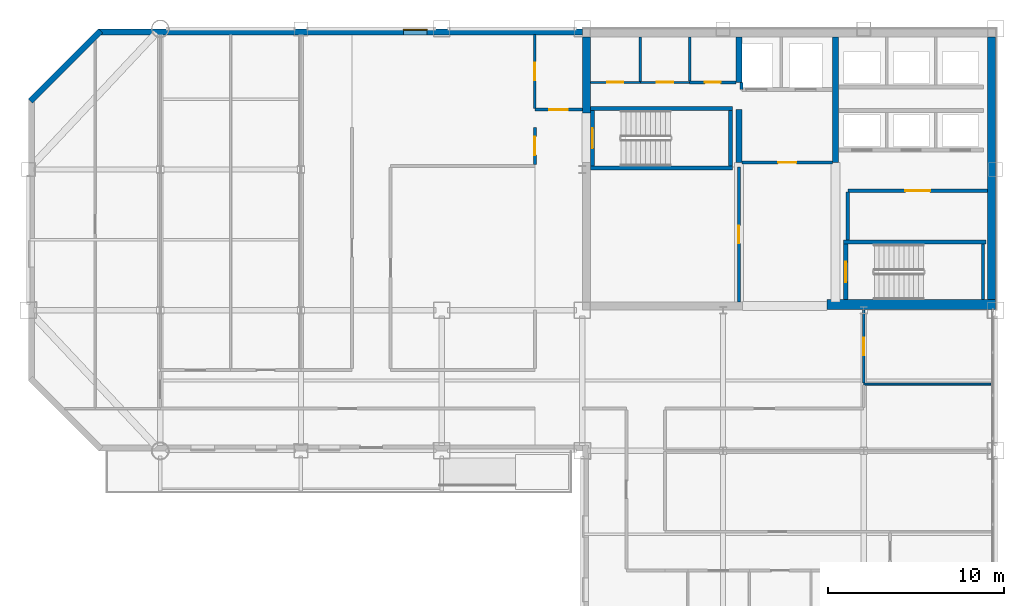
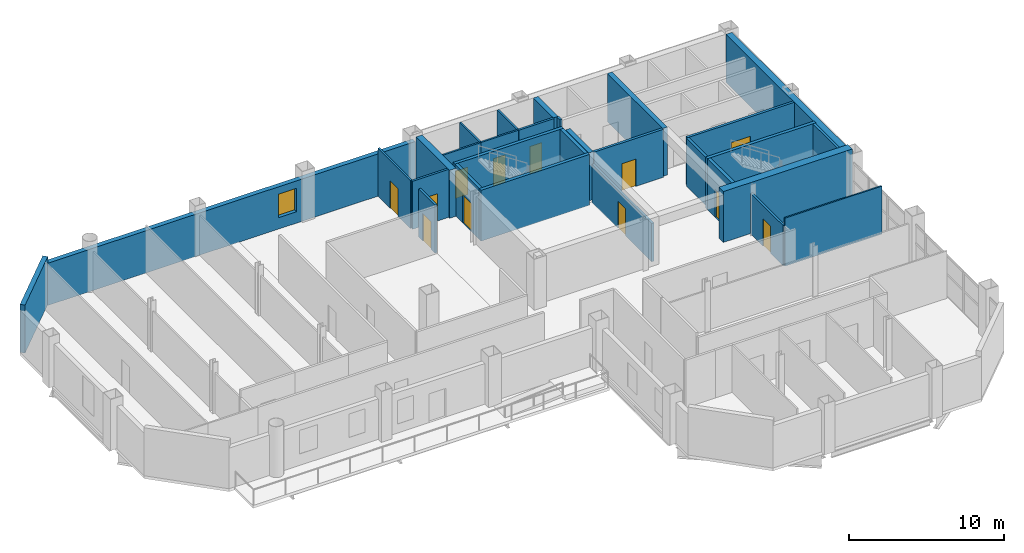
# One storey, part 9 of 12: 30 walls, 12 doors, 1 window, 13 openings.
"""IFC4 building model written with IfcOpenShell, lengths in metres."""

from ifc_helpers import new_model, si_unit, direction, frame, frame_2d, origin, place, context, subcontext, project, spatial, rectangle, extrude, material, layer, layer_set, type_object, element, fill, save


model = new_model("IFC4")

# Units and contexts
model_context = context("Model", 3, precision=1e-05, world=origin(), true_north=direction((0.0, 1.0)))
body_context = subcontext(model_context, "Body", "Model", "MODEL_VIEW")
ifc_project = project(units=[si_unit("LENGTHUNIT", "METRE"), si_unit("AREAUNIT", "SQUARE_METRE"), si_unit("VOLUMEUNIT", "CUBIC_METRE"), si_unit("PLANEANGLEUNIT", "RADIAN"), si_unit("MASSUNIT", "GRAM", prefix="KILO")], contexts=[model_context])

# Site, building, storey
site_placement = place(None, origin())
site = spatial("IfcSite", under=ifc_project, at=site_placement, CompositionType="ELEMENT")
building_placement = place(site_placement, origin())
building = spatial("IfcBuilding", under=site, at=building_placement, Name="Qianrong Seaharbour Tower", CompositionType="ELEMENT")
storey_placement = place(building_placement, frame((0.0, 0.0, 205.800048828125)))
storey = spatial("IfcBuildingStorey", under=building, at=storey_placement, Name="L49", CompositionType="ELEMENT", Elevation=205.800048828125)

# Walls
ifc_material_1 = material(Name="Concrete C60/75", Category="concrete")
ifc_layer_1 = layer(ifc_material_1, 0.4599609375)
ifc_layer_set_1 = layer_set([ifc_layer_1], Name="Concrete C60/75")
wall_type_1 = type_object("IfcWallType", Name="WALL-CORE-460", PredefinedType="SHEAR", material=ifc_layer_set_1)
wall_1_placement = place(storey_placement, frame((63.77001953125, 36.320068359375, 0.0), z_axis=(0.0, 0.0, 1.0), x_axis=(0.0, 1.0, 0.0)))
element("IfcWall", 1, at=wall_1_placement, inside=storey, type_object=wall_type_1, Name="L49 East Core Shear Wall", PredefinedType="SHEAR", context=body_context, shape_type="SweptSolid", body=[
    extrude(rectangle(XDim=15.219970703125, YDim=0.4599609375, at=frame_2d((7.60986328125, 0.0))), origin(), (0.0, 0.0, 1.0), 3.77490234375),
])
wall_2_placement = place(storey_placement, frame((40.72998046875, 47.199951171875, 0.0), z_axis=(0.0, 0.0, 1.0), x_axis=(0.0, 1.0, 0.0)))
element("IfcWall", 2, at=wall_2_placement, inside=storey, type_object=wall_type_1, Name="L49 West Core Shear Wall North", PredefinedType="SHEAR", context=body_context, shape_type="SweptSolid", body=[
    extrude(rectangle(XDim=4.340087890625, YDim=0.4599609375, at=frame_2d((2.169921875, 0.0))), origin(), (0.0, 0.0, 1.0), 3.77490234375),
])
ifc_material_2 = material(Name="Concrete C70/85", Category="concrete")
ifc_layer_2 = layer(ifc_material_2, 0.580078125)
ifc_layer_set_2 = layer_set([ifc_layer_2], Name="Concrete C70/85")
wall_type_2 = type_object("IfcWallType", Name="WALL-CORE-580", PredefinedType="SHEAR", material=ifc_layer_set_2)
wall_3_placement = place(storey_placement, frame((54.39990234375, 36.320068359375, 0.0), z_axis=(0.0, 0.0, 1.0), x_axis=(1.0, 0.0, 0.0)))
element("IfcWall", 3, at=wall_3_placement, inside=storey, type_object=wall_type_2, Name="L49 South Core Shear Wall S3", PredefinedType="SHEAR", context=body_context, shape_type="SweptSolid", body=[
    extrude(rectangle(XDim=9.60009765625, YDim=0.580078125, at=frame_2d((4.800048828125, 0.0))), origin(), (0.0, 0.0, 1.0), 4.0),
])
ifc_material_3 = material(Name="Concrete C50/60", Category="concrete")
ifc_layer_3 = layer(ifc_material_3, 0.35009765625)
ifc_layer_set_3 = layer_set([ifc_layer_3], Name="Concrete C50/60")
wall_type_3 = type_object("IfcWallType", Name="WALL-CORE-INT-350", PredefinedType="SHEAR", material=ifc_layer_set_3)
wall_4_placement = place(storey_placement, frame((49.39990234375, 44.39990234375, 0.0), z_axis=(0.0, 0.0, 1.0), x_axis=(0.0, 1.0, 0.0)))
element("IfcWall", 4, at=wall_4_placement, inside=storey, type_object=wall_type_3, Name="L49 Internal Core Shear Wall IW1N1", PredefinedType="SHEAR", context=body_context, shape_type="SweptSolid", body=[
    extrude(rectangle(XDim=3.0, YDim=0.35009765625, at=frame_2d((1.5, 0.0))), origin(), (0.0, 0.0, 1.0), 3.77490234375),
])
wall_5_placement = place(storey_placement, frame((49.39990234375, 48.949951171875, 0.0), z_axis=(0.0, 0.0, 1.0), x_axis=(0.0, 1.0, 0.0)))
element("IfcWall", 5, at=wall_5_placement, inside=storey, type_object=wall_type_3, Name="L49 Internal Core Shear Wall IW1N2", PredefinedType="SHEAR", context=body_context, shape_type="SweptSolid", body=[
    extrude(rectangle(XDim=2.590087890625, YDim=0.35009765625, at=frame_2d((1.294921875, 0.0))), origin(), (0.0, 0.0, 1.0), 3.77490234375),
])
wall_6_placement = place(storey_placement, frame((54.89990234375, 44.39990234375, 0.0), z_axis=(0.0, 0.0, 1.0), x_axis=(0.0, 1.0, 0.0)))
element("IfcWall", 6, at=wall_6_placement, inside=storey, type_object=wall_type_3, Name="L49 Internal Core Shear Wall IW2N", PredefinedType="SHEAR", context=body_context, shape_type="SweptSolid", body=[
    extrude(rectangle(XDim=7.14013671875, YDim=0.35009765625, at=frame_2d((3.570068359375, 0.0))), origin(), (0.0, 0.0, 1.0), 3.77490234375),
])

# Wall, opening, door
ifc_material_4 = material(Name="Fire-rated acoustic gypsum board partition")
ifc_layer_4 = layer(ifc_material_4, 0.1650390625)
ifc_layer_set_4 = layer_set([ifc_layer_4], Name="Fire-rated acoustic gypsum board partition")
wall_type_4 = type_object("IfcWallType", Name="WALL-CORR-PART-165", PredefinedType="PARTITIONING", material=ifc_layer_set_4)
wall_7_placement = place(storey_placement, frame((37.800048828125, 47.39990234375, 0.0), z_axis=(0.0, 0.0, 1.0), x_axis=(1.0, 0.0, 0.0)))
wall_7 = element("IfcWall", 7, at=wall_7_placement, inside=storey, type_object=wall_type_4, Name="L49 Interior Partition Wall 001", PredefinedType="PARTITIONING", context=body_context, shape_type="SweptSolid", body=[
    extrude(rectangle(XDim=2.699951171875, YDim=0.1650390625, at=frame_2d((1.35009765625, 0.0))), origin(), (0.0, 0.0, 1.0), 3.77490234375),
])
opening_1_placement = place(wall_7_placement, frame((0.824951171875, 0.0, 0.0)))
opening_1 = element("IfcOpeningElement", 8, at=opening_1_placement, cuts=wall_7, Name="Opening DC-01", PredefinedType="OPENING", context=body_context, shape_type="SweptSolid", body=[
    extrude(rectangle(XDim=1.050048828125, YDim=2.14990234375, at=frame_2d((0.52490234375, 1.074951171875))), frame((0.0, 0.092529296875, 0.0), z_axis=(0.0, -1.0, 0.0), x_axis=(1.0, 0.0, 0.0)), (0.0, 0.0, 1.0), 0.18505859375),
])
ifc_material_5 = material(Name="Acoustic timber and galvanized steel fire door assembly", Category="steel")
door_type_1 = type_object("IfcDoorType", Name="DOOR-CORR-FD60-1050x2150", OperationType="NOTDEFINED", PredefinedType="DOOR", material=ifc_material_5)
door_1_placement = place(opening_1_placement, origin())
door_1 = element("IfcDoor", 9, at=door_1_placement, inside=storey, type_object=door_type_1, Name="L49 Smokeproof Stair Vestibule ST-1 Door", OperationType="SINGLE_SWING_LEFT", OverallHeight=2.14990234375, OverallWidth=1.050048828125, PredefinedType="DOOR", context=body_context, shape_type="SweptSolid", body=[
    extrude(rectangle(XDim=1.050048828125, YDim=2.14990234375, at=frame_2d((0.52490234375, 1.074951171875))), frame((0.0, 0.02490234375, 0.0), z_axis=(0.0, -1.0, 0.0), x_axis=(1.0, 0.0, 0.0)), (0.0, 0.0, 1.0), 0.050048828125),
])
fill(opening_1, door_1)

wall_8_placement = place(storey_placement, frame((37.800048828125, 44.2744140625, 0.0), z_axis=(0.0, 0.0, 1.0), x_axis=(0.0, 1.0, 0.0)))
wall_8 = element("IfcWall", 10, at=wall_8_placement, inside=storey, type_object=wall_type_4, Name="L49 Interior Partition Wall 002", PredefinedType="PARTITIONING", context=body_context, shape_type="SweptSolid", body=[
    extrude(rectangle(XDim=2.12548828125, YDim=0.1650390625, at=frame_2d((1.062744140625, 0.0))), origin(), (0.0, 0.0, 1.0), 3.77490234375),
])
opening_2_placement = place(wall_8_placement, frame((0.537841796875, 0.0, 0.0)))
opening_2 = element("IfcOpeningElement", 11, at=opening_2_placement, cuts=wall_8, Name="Opening DC-01", PredefinedType="OPENING", context=body_context, shape_type="SweptSolid", body=[
    extrude(rectangle(XDim=1.050048828125, YDim=2.14990234375, at=frame_2d((0.52490234375, 1.074951171875))), frame((0.0, 0.092529296875, 0.0), z_axis=(0.0, -1.0, 0.0), x_axis=(1.0, 0.0, 0.0)), (0.0, 0.0, 1.0), 0.18505859375),
])
door_2_placement = place(opening_2_placement, origin())
door_2 = element("IfcDoor", 12, at=door_2_placement, inside=storey, type_object=door_type_1, Name="L49 Smokeproof Stair Vestibule ST-1 Door", OperationType="SINGLE_SWING_RIGHT", OverallHeight=2.14990234375, OverallWidth=1.050048828125, PredefinedType="DOOR", context=body_context, shape_type="SweptSolid", body=[
    extrude(rectangle(XDim=1.050048828125, YDim=2.14990234375, at=frame_2d((0.52490234375, 1.074951171875))), frame((0.0, 0.02490234375, 0.0), z_axis=(0.0, -1.0, 0.0), x_axis=(1.0, 0.0, 0.0)), (0.0, 0.0, 1.0), 0.050048828125),
])
fill(opening_2, door_2)

wall_9_placement = place(storey_placement, frame((46.60009765625, 48.949951171875, 0.0), z_axis=(0.0, 0.0, 1.0), x_axis=(1.0, 0.0, 0.0)))
wall_9 = element("IfcWall", 13, at=wall_9_placement, inside=storey, type_object=wall_type_4, Name="L49 Interior Partition Wall 006", PredefinedType="PARTITIONING", context=body_context, shape_type="SweptSolid", body=[
    extrude(rectangle(XDim=2.6328125, YDim=0.1650390625, at=frame_2d((1.31640625, 0.0))), origin(), (0.0, 0.0, 1.0), 3.77490234375),
])
opening_3_placement = place(wall_9_placement, frame((0.866455078125, 0.0, 0.0)))
opening_3 = element("IfcOpeningElement", 14, at=opening_3_placement, cuts=wall_9, Name="Opening DS-01", PredefinedType="OPENING", context=body_context, shape_type="SweptSolid", body=[
    extrude(rectangle(XDim=0.89990234375, YDim=2.14990234375, at=frame_2d((0.449951171875, 1.074951171875))), frame((0.0, 0.092529296875, 0.0), z_axis=(0.0, -1.0, 0.0), x_axis=(1.0, 0.0, 0.0)), (0.0, 0.0, 1.0), 0.18505859375),
])
door_type_2 = type_object("IfcDoorType", Name="DOOR-STORE-900x2150", OperationType="NOTDEFINED", PredefinedType="DOOR", material=ifc_material_5)
door_3_placement = place(opening_3_placement, origin())
door_3 = element("IfcDoor", 15, at=door_3_placement, inside=storey, type_object=door_type_2, Name="L49 Cleaner Store Room Door", OperationType="SINGLE_SWING_RIGHT", OverallHeight=2.14990234375, OverallWidth=0.89990234375, PredefinedType="DOOR", context=body_context, shape_type="SweptSolid", body=[
    extrude(rectangle(XDim=0.89990234375, YDim=2.14990234375, at=frame_2d((0.449951171875, 1.074951171875))), frame((0.0, 0.02490234375, 0.0), z_axis=(0.0, -1.0, 0.0), x_axis=(1.0, 0.0, 0.0)), (0.0, 0.0, 1.0), 0.050048828125),
])
fill(opening_3, door_3)

wall_10_placement = place(storey_placement, frame((49.39990234375, 36.4599609375, 0.0), z_axis=(0.0, 0.0, 1.0), x_axis=(0.0, 1.0, 0.0)))
wall_10 = element("IfcWall", 16, at=wall_10_placement, inside=storey, type_object=wall_type_4, Name="L49 Interior Partition Wall 008", PredefinedType="PARTITIONING", context=body_context, shape_type="SweptSolid", body=[
    extrude(rectangle(XDim=7.68994140625, YDim=0.1650390625, at=frame_2d((3.844970703125, 0.0))), origin(), (0.0, 0.0, 1.0), 3.016845703125),
])
opening_4_placement = place(wall_10_placement, frame((3.344970703125, 0.0, 0.0)))
opening_4 = element("IfcOpeningElement", 17, at=opening_4_placement, cuts=wall_10, Name="Opening DO-01", PredefinedType="OPENING", context=body_context, shape_type="SweptSolid", body=[
    extrude(rectangle(XDim=1.0, YDim=2.14990234375, at=frame_2d((0.5, 1.074951171875))), frame((0.0, 0.092529296875, 0.0), z_axis=(0.0, -1.0, 0.0), x_axis=(1.0, 0.0, 0.0)), (0.0, 0.0, 1.0), 0.18505859375),
])
door_type_3 = type_object("IfcDoorType", Name="DOOR-OFFICE-1000x2150", OperationType="NOTDEFINED", PredefinedType="DOOR", material=ifc_material_5)
door_4_placement = place(opening_4_placement, origin())
door_4 = element("IfcDoor", 18, at=door_4_placement, inside=storey, type_object=door_type_3, Name="L49 Data Systems Office Door", OperationType="SINGLE_SWING_LEFT", OverallHeight=2.14990234375, OverallWidth=1.0, PredefinedType="DOOR", context=body_context, shape_type="SweptSolid", body=[
    extrude(rectangle(XDim=1.0, YDim=2.14990234375, at=frame_2d((0.5, 1.074951171875))), frame((0.0, 0.02490234375, 0.0), z_axis=(0.0, -1.0, 0.0), x_axis=(1.0, 0.0, 0.0)), (0.0, 0.0, 1.0), 0.050048828125),
])
fill(opening_4, door_4)

wall_11_placement = place(storey_placement, frame((56.5, 36.0, 0.0), z_axis=(0.0, 0.0, 1.0), x_axis=(0.0, -1.0, 0.0)))
wall_11 = element("IfcWall", 19, at=wall_11_placement, inside=storey, type_object=wall_type_4, Name="L49 Interior Partition Wall 025", PredefinedType="PARTITIONING", context=body_context, shape_type="SweptSolid", body=[
    extrude(rectangle(XDim=4.153076171875, YDim=0.1650390625, at=frame_2d((2.07666015625, 0.0))), origin(), (0.0, 0.0, 1.0), 3.178955078125),
])
opening_5_placement = place(wall_11_placement, frame((1.576416015625, 0.0, 0.0)))
opening_5 = element("IfcOpeningElement", 20, at=opening_5_placement, cuts=wall_11, Name="Opening DO-01", PredefinedType="OPENING", context=body_context, shape_type="SweptSolid", body=[
    extrude(rectangle(XDim=1.0, YDim=2.14990234375, at=frame_2d((0.5, 1.074951171875))), frame((0.0, 0.092529296875, 0.0), z_axis=(0.0, -1.0, 0.0), x_axis=(1.0, 0.0, 0.0)), (0.0, 0.0, 1.0), 0.18505859375),
])
door_5_placement = place(opening_5_placement, origin())
door_5 = element("IfcDoor", 21, at=door_5_placement, inside=storey, type_object=door_type_3, Name="L49 Focus Room 3 Door", OperationType="SINGLE_SWING_LEFT", OverallHeight=2.14990234375, OverallWidth=1.0, PredefinedType="DOOR", context=body_context, shape_type="SweptSolid", body=[
    extrude(rectangle(XDim=1.0, YDim=2.14990234375, at=frame_2d((0.5, 1.074951171875))), frame((0.0, 0.02490234375, 0.0), z_axis=(0.0, -1.0, 0.0), x_axis=(1.0, 0.0, 0.0)), (0.0, 0.0, 1.0), 0.050048828125),
])
fill(opening_5, door_5)

# Walls
ifc_material_6 = material(Name="Demountable aluminium-framed acoustic office partition", Category="aluminium")
ifc_layer_5 = layer(ifc_material_6, 0.110107421875)
ifc_layer_set_5 = layer_set([ifc_layer_5], Name="Demountable aluminium-framed acoustic office partition")
wall_type_5 = type_object("IfcWallType", Name="WALL-DEMOUNT-110", PredefinedType="MOVABLE", material=ifc_layer_set_5)
wall_12_placement = place(storey_placement, frame((56.5, 31.800048828125, 0.0), z_axis=(0.0, 0.0, 1.0), x_axis=(1.0, 0.0, 0.0)))
element("IfcWall", 22, at=wall_12_placement, inside=storey, type_object=wall_type_5, Name="L49 Interior Partition Wall 046", PredefinedType="MOVABLE", context=body_context, shape_type="SweptSolid", body=[
    extrude(rectangle(XDim=7.22802734375, YDim=0.110107421875, at=frame_2d((3.614013671875, 0.0))), origin(), (0.0, 0.0, 1.0), 3.77490234375),
])
ifc_material_7 = material(Name="Unitised buff brick on Precast concrete C45/55", Category="masonry")
ifc_layer_6 = layer(ifc_material_7, 0.340087890625)
ifc_layer_set_6 = layer_set([ifc_layer_6], Name="Unitised buff brick on Precast concrete C45/55")
wall_type_6 = type_object("IfcWallType", Name="WALL-EXT-BRICK-BUFF-340", PredefinedType="SOLIDWALL", material=ifc_layer_set_6)
wall_13_placement = place(storey_placement, frame((9.1201171875, 47.8798828125, 0.0), z_axis=(0.0, 0.0, 1.0), x_axis=(0.707106781187, 0.707106781187, 0.0)))
element("IfcWall", 23, at=wall_13_placement, inside=storey, type_object=wall_type_6, Name="L49 Exterior Masonry Facade Wall E04", PredefinedType="SOLIDWALL", context=body_context, shape_type="SweptSolid", body=[
    extrude(rectangle(XDim=5.65673828125, YDim=0.340087890625, at=frame_2d((2.828369140625, 0.0))), origin(), (0.0, 0.0, 1.0), 3.77490234375),
])

# Wall, opening, window
wall_14_placement = place(storey_placement, frame((13.0, 51.830078125, 0.0), z_axis=(0.0, 0.0, 1.0), x_axis=(1.0, 0.0, 0.0)))
wall_14 = element("IfcWall", 24, at=wall_14_placement, inside=storey, type_object=wall_type_6, Name="L49 Exterior Masonry Facade Wall NORTH_WING", PredefinedType="SOLIDWALL", context=body_context, shape_type="SweptSolid", body=[
    extrude(rectangle(XDim=27.52001953125, YDim=0.340087890625, at=frame_2d((13.760009765625, 0.0))), origin(), (0.0, 0.0, 1.0), 3.324951171875),
])
opening_6_placement = place(wall_14_placement, frame((17.324951171875, 0.0, 0.89990234375)))
opening_6 = element("IfcOpeningElement", 25, at=opening_6_placement, cuts=wall_14, Name="Opening WN-02", PredefinedType="OPENING", context=body_context, shape_type="SweptSolid", body=[
    extrude(rectangle(XDim=1.35009765625, YDim=1.85009765625, at=frame_2d((0.675048828125, 0.925048828125))), frame((0.0, 0.18017578125, 0.0), z_axis=(0.0, -1.0, 0.0), x_axis=(1.0, 0.0, 0.0)), (0.0, 0.0, 1.0), 0.360107421875),
])
ifc_material_8 = material(Name="Insulated low-e double glazing in thermally broken aluminium 6063-T6 frame", Category="aluminium")
window_type = type_object("IfcWindowType", Name="WIN-PUNCH-1350x1850", PartitioningType="DOUBLE_PANEL_VERTICAL", PredefinedType="WINDOW", material=ifc_material_8)
window_placement = place(opening_6_placement, origin())
window = element("IfcWindow", 26, at=window_placement, inside=storey, type_object=window_type, Name="L49 Deep-Set Punched Window 05.05", OverallHeight=1.85009765625, OverallWidth=1.35009765625, PartitioningType="DOUBLE_PANEL_VERTICAL", PredefinedType="WINDOW", context=body_context, shape_type="SweptSolid", body=[
    extrude(rectangle(XDim=1.35009765625, YDim=1.85009765625, at=frame_2d((0.675048828125, 0.925048828125))), frame((0.0, 0.150146484375, 0.0), z_axis=(0.0, -1.0, 0.0), x_axis=(1.0, 0.0, 0.0)), (0.0, 0.0, 1.0), 0.06005859375),
])
fill(opening_6, window)

# Wall, opening, door
ifc_material_9 = material(Name="Double fire-rated gypsum board acoustic partition")
ifc_layer_7 = layer(ifc_material_9, 0.18994140625)
ifc_layer_set_7 = layer_set([ifc_layer_7], Name="Double fire-rated gypsum board acoustic partition")
wall_type_7 = type_object("IfcWallType", Name="WALL-FIRE-PART-190", PredefinedType="PARTITIONING", material=ifc_layer_set_7)
wall_15_placement = place(storey_placement, frame((54.73291015625, 44.39990234375, 0.0), z_axis=(0.0, 0.0, 1.0), x_axis=(-1.0, 0.0, 0.0)))
wall_15 = element("IfcWall", 27, at=wall_15_placement, inside=storey, type_object=wall_type_7, Name="L49 Interior Partition Wall 007", PredefinedType="PARTITIONING", context=body_context, shape_type="SweptSolid", body=[
    extrude(rectangle(XDim=5.166015625, YDim=0.18994140625, at=frame_2d((2.5830078125, 0.0))), origin(), (0.0, 0.0, 1.0), 3.77490234375),
])
opening_7_placement = place(wall_15_placement, frame((2.05810546875, 0.0, 0.0)))
opening_7 = element("IfcOpeningElement", 28, at=opening_7_placement, cuts=wall_15, Name="Opening DC-01", PredefinedType="OPENING", context=body_context, shape_type="SweptSolid", body=[
    extrude(rectangle(XDim=1.050048828125, YDim=2.14990234375, at=frame_2d((0.52490234375, 1.074951171875))), frame((0.0, 0.10498046875, 0.0), z_axis=(0.0, -1.0, 0.0), x_axis=(1.0, 0.0, 0.0)), (0.0, 0.0, 1.0), 0.2099609375),
])
door_6_placement = place(opening_7_placement, origin())
door_6 = element("IfcDoor", 29, at=door_6_placement, inside=storey, type_object=door_type_1, Name="L49 Firefighting Lift Lobby Door", OperationType="SINGLE_SWING_RIGHT", OverallHeight=2.14990234375, OverallWidth=1.050048828125, PredefinedType="DOOR", context=body_context, shape_type="SweptSolid", body=[
    extrude(rectangle(XDim=1.050048828125, YDim=2.14990234375, at=frame_2d((0.52490234375, 1.074951171875))), frame((0.0, 0.02490234375, 0.0), z_axis=(0.0, -1.0, 0.0), x_axis=(1.0, 0.0, 0.0)), (0.0, 0.0, 1.0), 0.050048828125),
])
fill(opening_7, door_6)

# Wall
wall_16_placement = place(storey_placement, frame((55.60009765625, 42.712890625, 0.0), z_axis=(0.0, 0.0, 1.0), x_axis=(0.0, -1.0, 0.0)))
element("IfcWall", 30, at=wall_16_placement, inside=storey, type_object=wall_type_7, Name="L49 Interior Partition Wall 009", PredefinedType="PARTITIONING", context=body_context, shape_type="SweptSolid", body=[
    extrude(rectangle(XDim=2.73095703125, YDim=0.18994140625, at=frame_2d((1.365478515625, 0.0))), origin(), (0.0, 0.0, 1.0), 3.77490234375),
])

# Wall, opening, door
wall_17_placement = place(storey_placement, frame((63.5400390625, 42.800048828125, 0.0), z_axis=(0.0, 0.0, 1.0), x_axis=(-1.0, 0.0, 0.0)))
wall_17 = element("IfcWall", 31, at=wall_17_placement, inside=storey, type_object=wall_type_7, Name="L49 Interior Partition Wall 010", PredefinedType="PARTITIONING", context=body_context, shape_type="SweptSolid", body=[
    extrude(rectangle(XDim=7.93994140625, YDim=0.18994140625, at=frame_2d((3.969970703125, 0.0))), origin(), (0.0, 0.0, 1.0), 3.77490234375),
])
opening_8_placement = place(wall_17_placement, frame((3.27001953125, 0.0, 0.0)))
opening_8 = element("IfcOpeningElement", 32, at=opening_8_placement, cuts=wall_17, Name="Opening DP-01", PredefinedType="OPENING", context=body_context, shape_type="SweptSolid", body=[
    extrude(rectangle(XDim=1.39990234375, YDim=2.25, at=frame_2d((0.699951171875, 1.125))), frame((0.0, 0.10498046875, 0.0), z_axis=(0.0, -1.0, 0.0), x_axis=(1.0, 0.0, 0.0)), (0.0, 0.0, 1.0), 0.2099609375),
])
door_type_4 = type_object("IfcDoorType", Name="DOOR-PLANT-PAIR-1400x2250", OperationType="DOUBLE_DOOR_SINGLE_SWING", PredefinedType="DOOR", material=ifc_material_5)
door_7_placement = place(opening_8_placement, origin())
door_7 = element("IfcDoor", 33, at=door_7_placement, inside=storey, type_object=door_type_4, Name="L49 Core Telecom Hub Room Door", OperationType="DOUBLE_DOOR_SINGLE_SWING", OverallHeight=2.25, OverallWidth=1.39990234375, PredefinedType="DOOR", context=body_context, shape_type="SweptSolid", body=[
    extrude(rectangle(XDim=1.39990234375, YDim=2.25, at=frame_2d((0.699951171875, 1.125))), frame((0.0, 0.02490234375, 0.0), z_axis=(0.0, -1.0, 0.0), x_axis=(1.0, 0.0, 0.0)), (0.0, 0.0, 1.0), 0.050048828125),
])
fill(opening_8, door_7)

# Walls
ifc_material_10 = material(Name="Fire-rated gypsum board on steel studs", Category="steel")
ifc_layer_8 = layer(ifc_material_10, 0.14990234375)
ifc_layer_set_8 = layer_set([ifc_layer_8], Name="Fire-rated gypsum board on steel studs")
wall_type_8 = type_object("IfcWallType", Name="WALL-SHAFT-DIV-150", PredefinedType="PARTITIONING", material=ifc_layer_set_8)
wall_18_placement = place(storey_placement, frame((49.550048828125, 48.550048828125, 0.0), z_axis=(0.0, 0.0, 1.0), x_axis=(0.0, 1.0, 0.0)))
element("IfcWall", 34, at=wall_18_placement, inside=storey, type_object=wall_type_8, Name="L49 Firefighting Lift Shaft West Return Wall", PredefinedType="PARTITIONING", context=body_context, shape_type="SweptSolid", body=[
    extrude(rectangle(XDim=0.39990234375, YDim=0.14990234375, at=frame_2d((0.199951171875, 0.0))), origin(), (0.0, 0.0, 1.0), 3.77490234375),
])
ifc_layer_9 = layer(ifc_material_3, 0.239990234375)
ifc_layer_set_9 = layer_set([ifc_layer_9], Name="Concrete C50/60")
wall_type_9 = type_object("IfcWallType", Name="WALL-SHAFT-RC240", PredefinedType="SOLIDWALL", material=ifc_layer_set_9)
for number, where, z_axis, x_axis, name in (
    (35, (40.9599609375, 47.469970703125, 0.0), (0.0, 0.0, 1.0), (1.0, 0.0, 0.0), "L49 ST-1 Structural Stair Core Wall N"),
    (36, (49.0400390625, 44.080078125, 0.0), (0.0, 0.0, 1.0), (-1.0, 0.0, 0.0), "L49 ST-1 Structural Stair Core Wall S"),
):
    element("IfcWall", number, at=place(storey_placement, frame(where, z_axis=z_axis, x_axis=x_axis)), inside=storey, type_object=wall_type_9, Name=name, PredefinedType="SOLIDWALL", context=body_context, shape_type="SweptSolid", body=[
        extrude(rectangle(XDim=8.080078125, YDim=0.239990234375, at=frame_2d((4.0400390625, 0.0))), origin(), (0.0, 0.0, 1.0), 4.0),
    ])

# Wall, opening, door
wall_19_placement = place(storey_placement, frame((41.080078125, 47.35009765625, 0.0), z_axis=(0.0, 0.0, 1.0), x_axis=(0.0, -1.0, 0.0)))
wall_19 = element("IfcWall", 37, at=wall_19_placement, inside=storey, type_object=wall_type_9, Name="L49 ST-1 Structural Stair Core Wall W", PredefinedType="SOLIDWALL", context=body_context, shape_type="SweptSolid", body=[
    extrude(rectangle(XDim=3.150146484375, YDim=0.239990234375, at=frame_2d((1.5751953125, 0.0))), origin(), (0.0, 0.0, 1.0), 4.0),
])
opening_9_placement = place(wall_19_placement, frame((1.0, 0.0, 0.0)))
opening_9 = element("IfcOpeningElement", 38, at=opening_9_placement, cuts=wall_19, Name="Opening SD-01", PredefinedType="OPENING", context=body_context, shape_type="SweptSolid", body=[
    extrude(rectangle(XDim=1.14990234375, YDim=2.199951171875, at=frame_2d((0.574951171875, 1.10009765625))), frame((0.0, 0.1298828125, 0.0), z_axis=(0.0, -1.0, 0.0), x_axis=(1.0, 0.0, 0.0)), (0.0, 0.0, 1.0), 0.260009765625),
])
door_type_5 = type_object("IfcDoorType", Name="DOOR-STAIR-FD60-1150x2200", OperationType="NOTDEFINED", PredefinedType="DOOR", material=ifc_material_5)
door_8_placement = place(opening_9_placement, origin())
door_8 = element("IfcDoor", 39, at=door_8_placement, inside=storey, type_object=door_type_5, Name="L49 ST-1 Protected Stair Door", OperationType="SINGLE_SWING_RIGHT", OverallHeight=2.199951171875, OverallWidth=1.14990234375, PredefinedType="DOOR", context=body_context, shape_type="SweptSolid", body=[
    extrude(rectangle(XDim=1.14990234375, YDim=2.199951171875, at=frame_2d((0.574951171875, 1.10009765625))), frame((0.0, 0.02490234375, 0.0), z_axis=(0.0, -1.0, 0.0), x_axis=(1.0, 0.0, 0.0)), (0.0, 0.0, 1.0), 0.050048828125),
])
fill(opening_9, door_8)

# Walls
wall_20_placement = place(storey_placement, frame((48.919921875, 44.199951171875, 0.0), z_axis=(0.0, 0.0, 1.0), x_axis=(0.0, 1.0, 0.0)))
element("IfcWall", 40, at=wall_20_placement, inside=storey, type_object=wall_type_9, Name="L49 ST-1 Structural Stair Core Wall E", PredefinedType="SOLIDWALL", context=body_context, shape_type="SweptSolid", body=[
    extrude(rectangle(XDim=3.150146484375, YDim=0.239990234375, at=frame_2d((1.5751953125, 0.0))), origin(), (0.0, 0.0, 1.0), 4.0),
])
wall_21_placement = place(storey_placement, frame((55.360107421875, 39.8701171875, 0.0), z_axis=(0.0, 0.0, 1.0), x_axis=(1.0, 0.0, 0.0)))
element("IfcWall", 41, at=wall_21_placement, inside=storey, type_object=wall_type_9, Name="L49 ST-2 Structural Stair Core Wall N", PredefinedType="SOLIDWALL", context=body_context, shape_type="SweptSolid", body=[
    extrude(rectangle(XDim=8.079833984375, YDim=0.239990234375, at=frame_2d((4.0400390625, 0.0))), origin(), (0.0, 0.0, 1.0), 4.0),
])

# Wall, opening, door
wall_22_placement = place(storey_placement, frame((55.47998046875, 39.75, 0.0), z_axis=(0.0, 0.0, 1.0), x_axis=(0.0, -1.0, 0.0)))
wall_22 = element("IfcWall", 42, at=wall_22_placement, inside=storey, type_object=wall_type_9, Name="L49 ST-2 Structural Stair Core Wall W", PredefinedType="SOLIDWALL", context=body_context, shape_type="SweptSolid", body=[
    extrude(rectangle(XDim=3.14990234375, YDim=0.239990234375, at=frame_2d((1.574951171875, 0.0))), origin(), (0.0, 0.0, 1.0), 4.0),
])
opening_10_placement = place(wall_22_placement, frame((1.0, 0.0, 0.0)))
opening_10 = element("IfcOpeningElement", 43, at=opening_10_placement, cuts=wall_22, Name="Opening SD-01", PredefinedType="OPENING", context=body_context, shape_type="SweptSolid", body=[
    extrude(rectangle(XDim=1.14990234375, YDim=2.199951171875, at=frame_2d((0.574951171875, 1.10009765625))), frame((0.0, 0.1298828125, 0.0), z_axis=(0.0, -1.0, 0.0), x_axis=(1.0, 0.0, 0.0)), (0.0, 0.0, 1.0), 0.260009765625),
])
door_9_placement = place(opening_10_placement, origin())
door_9 = element("IfcDoor", 44, at=door_9_placement, inside=storey, type_object=door_type_5, Name="L49 ST-2 Protected Stair Door", OperationType="SINGLE_SWING_RIGHT", OverallHeight=2.199951171875, OverallWidth=1.14990234375, PredefinedType="DOOR", context=body_context, shape_type="SweptSolid", body=[
    extrude(rectangle(XDim=1.14990234375, YDim=2.199951171875, at=frame_2d((0.574951171875, 1.10009765625))), frame((0.0, 0.02490234375, 0.0), z_axis=(0.0, -1.0, 0.0), x_axis=(1.0, 0.0, 0.0)), (0.0, 0.0, 1.0), 0.050048828125),
])
fill(opening_10, door_9)

# Wall
wall_23_placement = place(storey_placement, frame((63.2900390625, 36.60009765625, 0.0), z_axis=(0.0, 0.0, 1.0), x_axis=(0.0, 1.0, 0.0)))
element("IfcWall", 45, at=wall_23_placement, inside=storey, type_object=wall_type_9, Name="L49 ST-2 Structural Stair Core Wall E", PredefinedType="SOLIDWALL", context=body_context, shape_type="SweptSolid", body=[
    extrude(rectangle(XDim=3.14990234375, YDim=0.179931640625, at=frame_2d((1.574951171875, 0.0))), origin(), (0.0, 0.0, 1.0), 4.0),
])

# Wall, opening, door
ifc_material_11 = material(Name="Water-resistant cement board sanitary partition")
ifc_layer_10 = layer(ifc_material_11, 0.1298828125)
ifc_layer_set_10 = layer_set([ifc_layer_10], Name="Water-resistant cement board sanitary partition")
wall_type_10 = type_object("IfcWallType", Name="WALL-WET-PART-130", PredefinedType="PARTITIONING", material=ifc_layer_set_10)
wall_24_placement = place(storey_placement, frame((37.800048828125, 47.474609375, 0.0), z_axis=(0.0, 0.0, 1.0), x_axis=(0.0, 1.0, 0.0)))
wall_24 = element("IfcWall", 46, at=wall_24_placement, inside=storey, type_object=wall_type_10, Name="L49 Interior Partition Wall 003", PredefinedType="PARTITIONING", context=body_context, shape_type="SweptSolid", body=[
    extrude(rectangle(XDim=4.193359375, YDim=0.1298828125, at=frame_2d((2.0966796875, 0.0))), origin(), (0.0, 0.0, 1.0), 3.77490234375),
])
opening_11_placement = place(wall_24_placement, frame((1.5869140625, 0.0, 0.0)))
opening_11 = element("IfcOpeningElement", 47, at=opening_11_placement, cuts=wall_24, Name="Opening DAW-01", PredefinedType="OPENING", context=body_context, shape_type="SweptSolid", body=[
    extrude(rectangle(XDim=1.02001953125, YDim=2.14990234375, at=frame_2d((0.510009765625, 1.074951171875))), frame((0.0, 0.074951171875, 0.0), z_axis=(0.0, -1.0, 0.0), x_axis=(1.0, 0.0, 0.0)), (0.0, 0.0, 1.0), 0.14990234375),
])
door_type_6 = type_object("IfcDoorType", Name="DOOR-AWC-SLIDE-1020x2150", OperationType="SLIDING_TO_LEFT", PredefinedType="DOOR", material=ifc_material_5)
door_10_placement = place(opening_11_placement, origin())
door_10 = element("IfcDoor", 48, at=door_10_placement, inside=storey, type_object=door_type_6, Name="L49 Accessible Restroom WC Door", OperationType="SLIDING_TO_LEFT", OverallHeight=2.14990234375, OverallWidth=1.02001953125, PredefinedType="DOOR", context=body_context, shape_type="SweptSolid", body=[
    extrude(rectangle(XDim=1.02001953125, YDim=2.14990234375, at=frame_2d((0.510009765625, 1.074951171875))), frame((0.0, 0.02490234375, 0.0), z_axis=(0.0, -1.0, 0.0), x_axis=(1.0, 0.0, 0.0)), (0.0, 0.0, 1.0), 0.050048828125),
])
fill(opening_11, door_10)

wall_25_placement = place(storey_placement, frame((40.9599609375, 48.949951171875, 0.0), z_axis=(0.0, 0.0, 1.0), x_axis=(1.0, 0.0, 0.0)))
wall_25 = element("IfcWall", 49, at=wall_25_placement, inside=storey, type_object=wall_type_10, Name="L49 Interior Partition Wall 004", PredefinedType="PARTITIONING", context=body_context, shape_type="SweptSolid", body=[
    extrude(rectangle(XDim=2.840087890625, YDim=0.1298828125, at=frame_2d((1.419921875, 0.0))), origin(), (0.0, 0.0, 1.0), 3.77490234375),
])
opening_12_placement = place(wall_25_placement, frame((0.9599609375, 0.0, 0.0)))
opening_12 = element("IfcOpeningElement", 50, at=opening_12_placement, cuts=wall_25, Name="Opening DW-01", PredefinedType="OPENING", context=body_context, shape_type="SweptSolid", body=[
    extrude(rectangle(XDim=0.919921875, YDim=2.14990234375, at=frame_2d((0.4599609375, 1.074951171875))), frame((0.0, 0.074951171875, 0.0), z_axis=(0.0, -1.0, 0.0), x_axis=(1.0, 0.0, 0.0)), (0.0, 0.0, 1.0), 0.14990234375),
])
door_type_7 = type_object("IfcDoorType", Name="DOOR-WC-920x2150", OperationType="NOTDEFINED", PredefinedType="DOOR", material=ifc_material_5)
door_11_placement = place(opening_12_placement, origin())
door_11 = element("IfcDoor", 51, at=door_11_placement, inside=storey, type_object=door_type_7, Name="L49 Male Restroom WC Door", OperationType="SINGLE_SWING_RIGHT", OverallHeight=2.14990234375, OverallWidth=0.919921875, PredefinedType="DOOR", context=body_context, shape_type="SweptSolid", body=[
    extrude(rectangle(XDim=0.919921875, YDim=2.14990234375, at=frame_2d((0.4599609375, 1.074951171875))), frame((0.0, 0.02490234375, 0.0), z_axis=(0.0, -1.0, 0.0), x_axis=(1.0, 0.0, 0.0)), (0.0, 0.0, 1.0), 0.050048828125),
])
fill(opening_12, door_11)

wall_26_placement = place(storey_placement, frame((43.800048828125, 48.949951171875, 0.0), z_axis=(0.0, 0.0, 1.0), x_axis=(1.0, 0.0, 0.0)))
wall_26 = element("IfcWall", 52, at=wall_26_placement, inside=storey, type_object=wall_type_10, Name="L49 Interior Partition Wall 005", PredefinedType="PARTITIONING", context=body_context, shape_type="SweptSolid", body=[
    extrude(rectangle(XDim=2.800048828125, YDim=0.1298828125, at=frame_2d((1.39990234375, 0.0))), origin(), (0.0, 0.0, 1.0), 3.77490234375),
])
opening_13_placement = place(wall_26_placement, frame((0.93994140625, 0.0, 0.0)))
opening_13 = element("IfcOpeningElement", 53, at=opening_13_placement, cuts=wall_26, Name="Opening DW-01", PredefinedType="OPENING", context=body_context, shape_type="SweptSolid", body=[
    extrude(rectangle(XDim=0.919921875, YDim=2.14990234375, at=frame_2d((0.4599609375, 1.074951171875))), frame((0.0, 0.074951171875, 0.0), z_axis=(0.0, -1.0, 0.0), x_axis=(1.0, 0.0, 0.0)), (0.0, 0.0, 1.0), 0.14990234375),
])
door_12_placement = place(opening_13_placement, origin())
door_12 = element("IfcDoor", 54, at=door_12_placement, inside=storey, type_object=door_type_7, Name="L49 Female Restroom WC Door", OperationType="SINGLE_SWING_LEFT", OverallHeight=2.14990234375, OverallWidth=0.919921875, PredefinedType="DOOR", context=body_context, shape_type="SweptSolid", body=[
    extrude(rectangle(XDim=0.919921875, YDim=2.14990234375, at=frame_2d((0.4599609375, 1.074951171875))), frame((0.0, 0.02490234375, 0.0), z_axis=(0.0, -1.0, 0.0), x_axis=(1.0, 0.0, 0.0)), (0.0, 0.0, 1.0), 0.050048828125),
])
fill(opening_13, door_12)

# Walls
wall_27_placement = place(storey_placement, frame((43.800048828125, 51.5400390625, 0.0), z_axis=(0.0, 0.0, 1.0), x_axis=(0.0, -1.0, 0.0)))
element("IfcWall", 55, at=wall_27_placement, inside=storey, type_object=wall_type_10, Name="L49 Interior Partition Wall 011", PredefinedType="PARTITIONING", context=body_context, shape_type="SweptSolid", body=[
    extrude(rectangle(XDim=2.532958984375, YDim=0.1298828125, at=frame_2d((1.2666015625, 0.0))), origin(), (0.0, 0.0, 1.0), 3.77490234375),
])
wall_28_placement = place(storey_placement, frame((46.60009765625, 51.5400390625, 0.0), z_axis=(0.0, 0.0, 1.0), x_axis=(0.0, -1.0, 0.0)))
element("IfcWall", 56, at=wall_28_placement, inside=storey, type_object=wall_type_10, Name="L49 Interior Partition Wall 012", PredefinedType="PARTITIONING", context=body_context, shape_type="SweptSolid", body=[
    extrude(rectangle(XDim=2.515625, YDim=0.1298828125, at=frame_2d((1.2578125, 0.0))), origin(), (0.0, 0.0, 1.0), 3.77490234375),
])

save(model, "model.ifc")
